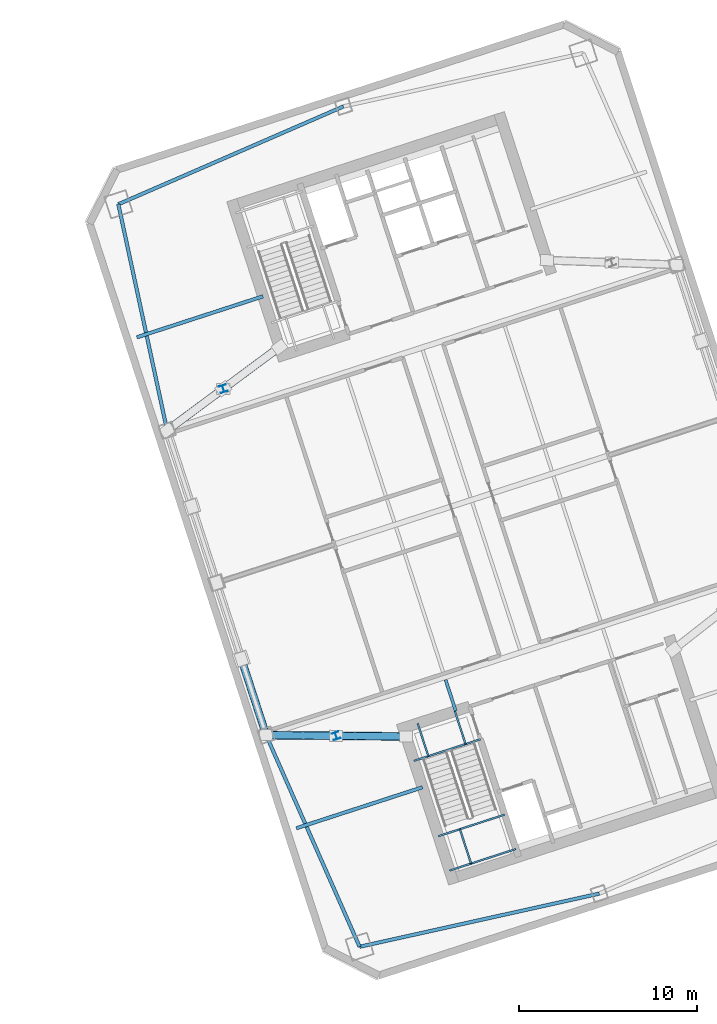
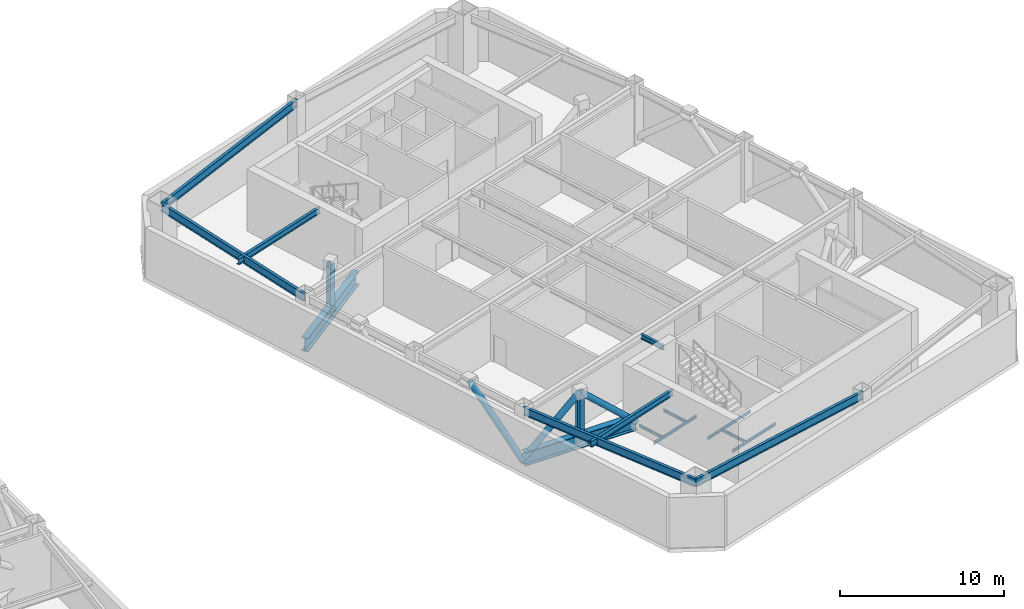
# One storey, part 6 of 17: 15 beams, 5 members.
"""IFC4 building model written with IfcOpenShell, lengths in metres."""

from ifc_helpers import new_model, si_unit, direction, frame, origin, origin_2d, place, context, subcontext, project, spatial, hollow_circle, i_section, extrude, material, material_profile, profile_set, type_object, element, save


model = new_model("IFC4")

# Units and contexts
model_context = context("Model", 3, precision=1e-05, world=origin(), true_north=direction((0.0, 1.0)))
body_context = subcontext(model_context, "Body", "Model", "MODEL_VIEW")
ifc_project = project(units=[si_unit("LENGTHUNIT", "METRE"), si_unit("AREAUNIT", "SQUARE_METRE"), si_unit("VOLUMEUNIT", "CUBIC_METRE"), si_unit("PLANEANGLEUNIT", "RADIAN"), si_unit("MASSUNIT", "GRAM", prefix="KILO")], contexts=[model_context])

# Site, building, storey
site_placement = place(None, origin())
site = spatial("IfcSite", under=ifc_project, at=site_placement, CompositionType="ELEMENT")
building_placement = place(site_placement, origin())
building = spatial("IfcBuilding", under=site, at=building_placement, Name="Qiaolan Cultural Towers", CompositionType="ELEMENT")
storey_placement = place(building_placement, frame((0.0, 0.0, 184.0)))
storey = spatial("IfcBuildingStorey", under=building, at=storey_placement, Name="L49", CompositionType="ELEMENT", Elevation=184.0)

# Beams
ifc_material_1 = material(Name="Steel Q390GJB", Category="steel")
ifc_material_profile_1 = material_profile(ifc_material_1, i_section(OverallWidth=0.449951171875, OverallDepth=1.0, WebThickness=0.02392578125, FlangeThickness=0.0400390625, at=origin_2d()), Name="BH1000x450x24x40")
ifc_profile_set_1 = profile_set([ifc_material_profile_1], Name="Steel Q390GJB")
beam_type_1 = type_object("IfcBeamType", Name="BM-BH1000x450x24x40", PredefinedType="BEAM", material=ifc_profile_set_1)
for number, where, z_axis, x_axis, name in (
    (1, (86.32568359375, 20.71435546875, 0.5), (-0.99995391889, 0.009600005, 0.0), (-0.009600005, -0.99995391889, 0.0), "L49 T2 Outrigger Bottom Chord Girder WS"),
    (2, (79.21826171875, 42.588623046875, 0.5), (-0.803324328545, -0.595541789607, 0.0), (0.595541789607, -0.803324328545, 0.0), "L49 T2 Outrigger Bottom Chord Girder WN"),
):
    element("IfcBeam", number, at=place(storey_placement, frame(where, z_axis=z_axis, x_axis=x_axis)), inside=storey, type_object=beam_type_1, Name=name, PredefinedType="BEAM", context=body_context, shape_type="SweptSolid", body=[
        extrude(i_section(OverallWidth=0.449951171875, OverallDepth=1.0, WebThickness=0.02392578125, FlangeThickness=0.0400390625, at=origin_2d()), origin(), (0.0, 0.0, 1.0), 7.858154296875),
    ])
ifc_material_2 = material(Name="Steel Q355B", Category="steel")
ifc_material_profile_2 = material_profile(ifc_material_2, i_section(OverallWidth=0.175048828125, OverallDepth=0.35009765625, WebThickness=0.007080078125, FlangeThickness=0.010986328125, at=origin_2d()), Name="HN350x175x7x11")
ifc_profile_set_2 = profile_set([ifc_material_profile_2], Name="Steel Q355B")
beam_type_2 = type_object("IfcBeamType", Name="BM-JST-HN350x175x7x11", PredefinedType="JOIST", material=ifc_profile_set_2)
beam_1_placement = place(storey_placement, frame((89.119384765625, 22.147705078125, 4.1650390625), z_axis=(-0.308933885266, 0.951083516067, 0.0), x_axis=(-0.951083516067, -0.308933885266, 0.0)))
element("IfcBeam", 3, at=beam_1_placement, inside=storey, type_object=beam_type_2, Name="L49 T2 Secondary Floor Joist U1-1", PredefinedType="JOIST", context=body_context, shape_type="SweptSolid", body=[
    extrude(i_section(OverallWidth=0.175048828125, OverallDepth=0.35009765625, WebThickness=0.007080078125, FlangeThickness=0.010986328125, at=origin_2d()), origin(), (0.0, 0.0, 1.0), 1.85009765625),
])
ifc_material_3 = material(Name="Steel Q355B", Category="steel")
ifc_material_profile_3 = material_profile(ifc_material_3, i_section(OverallWidth=0.199951171875, OverallDepth=0.449951171875, WebThickness=0.009033203125, FlangeThickness=0.013916015625, at=origin_2d()), Name="HN450x200x9x14")
ifc_profile_set_3 = profile_set([ifc_material_profile_3], Name="Steel Q355B")
beam_type_3 = type_object("IfcBeamType", Name="BM-LNT-HN450x200x9x14", PredefinedType="LINTEL", material=ifc_profile_set_3)
beam_2_placement = place(storey_placement, frame((87.252685546875, 17.861083984375, 4.114990234375), z_axis=(-0.951064407856, -0.308992705592, 0.0), x_axis=(0.308992705592, -0.951064407856, 0.0)))
element("IfcBeam", 4, at=beam_2_placement, inside=storey, type_object=beam_type_3, Name="L49 T2 Core Flank Tie Lintel WS", PredefinedType="LINTEL", context=body_context, shape_type="SweptSolid", body=[
    extrude(i_section(OverallWidth=0.199951171875, OverallDepth=0.449951171875, WebThickness=0.009033203125, FlangeThickness=0.013916015625, at=origin_2d()), origin(), (0.0, 0.0, 1.0), 7.449951171875),
])
beam_3_placement = place(storey_placement, frame((78.291259765625, 45.44189453125, 4.114990234375), z_axis=(-0.951054777171, -0.309022346796, 0.0), x_axis=(0.309022346796, -0.951054777171, 0.0)))
element("IfcBeam", 5, at=beam_3_placement, inside=storey, type_object=beam_type_3, Name="L49 T2 Core Flank Tie Lintel WN", PredefinedType="LINTEL", context=body_context, shape_type="SweptSolid", body=[
    extrude(i_section(OverallWidth=0.199951171875, OverallDepth=0.449951171875, WebThickness=0.009033203125, FlangeThickness=0.013916015625, at=origin_2d()), origin(), (0.0, 0.0, 1.0), 7.4501953125),
])
ifc_material_4 = material(Name="Steel Q355B", Category="steel")
ifc_material_profile_4 = material_profile(ifc_material_4, i_section(OverallWidth=0.199951171875, OverallDepth=0.60009765625, WebThickness=0.010986328125, FlangeThickness=0.01708984375, at=origin_2d()), Name="HN600x200x11x17")
ifc_profile_set_4 = profile_set([ifc_material_profile_4], Name="Steel Q355B")
beam_type_4 = type_object("IfcBeamType", Name="BM-SPD-HN600x200x11x17", PredefinedType="SPANDREL", material=ifc_profile_set_4)
beam_4_placement = place(storey_placement, frame((83.71875, 8.900634765625, 4.0400390625), z_axis=(0.976265293399, 0.216578108094, 0.0), x_axis=(-0.216578108094, 0.976265293399, 0.0)))
element("IfcBeam", 6, at=beam_4_placement, inside=storey, type_object=beam_type_4, Name="L49 T2 Perimeter Spandrel Beam 1", PredefinedType="SPANDREL", context=body_context, shape_type="SweptSolid", body=[
    extrude(i_section(OverallWidth=0.199951171875, OverallDepth=0.60009765625, WebThickness=0.010986328125, FlangeThickness=0.01708984375, at=origin_2d()), origin(), (0.0, 0.0, 1.0), 13.793212890625),
])
beam_5_placement = place(storey_placement, frame((82.8154296875, 56.112060546875, 4.0400390625), z_axis=(-0.917117043091, -0.398618024268, 0.0), x_axis=(0.398618024268, -0.917117043091, 0.0)))
element("IfcBeam", 7, at=beam_5_placement, inside=storey, type_object=beam_type_4, Name="L49 T2 Perimeter Spandrel Beam 8", PredefinedType="SPANDREL", context=body_context, shape_type="SweptSolid", body=[
    extrude(i_section(OverallWidth=0.199951171875, OverallDepth=0.60009765625, WebThickness=0.010986328125, FlangeThickness=0.01708984375, at=origin_2d()), origin(), (0.0, 0.0, 1.0), 13.79345703125),
])
beam_6_placement = place(storey_placement, frame((70.165283203125, 50.61376953125, 4.0400390625), z_axis=(0.210832241173, -0.977522258612, 0.0), x_axis=(0.977522258612, 0.210832241173, 0.0)))
element("IfcBeam", 8, at=beam_6_placement, inside=storey, type_object=beam_type_4, Name="L49 T2 Perimeter Spandrel Beam 9", PredefinedType="SPANDREL", context=body_context, shape_type="SweptSolid", body=[
    extrude(i_section(OverallWidth=0.199951171875, OverallDepth=0.60009765625, WebThickness=0.010986328125, FlangeThickness=0.01708984375, at=origin_2d()), origin(), (0.0, 0.0, 1.0), 12.997314453125),
])
beam_7_placement = place(storey_placement, frame((78.4677734375, 20.789794921875, 4.0400390625), z_axis=(0.404011070002, -0.914754095545, 0.0), x_axis=(0.914754095545, 0.404011070002, 0.0)))
element("IfcBeam", 9, at=beam_7_placement, inside=storey, type_object=beam_type_4, Name="L49 T2 Perimeter Spandrel Beam 12", PredefinedType="SPANDREL", context=body_context, shape_type="SweptSolid", body=[
    extrude(i_section(OverallWidth=0.199951171875, OverallDepth=0.60009765625, WebThickness=0.010986328125, FlangeThickness=0.01708984375, at=origin_2d()), origin(), (0.0, 0.0, 1.0), 12.9970703125),
])
ifc_material_5 = material(Name="Steel Q355B", Category="steel")
ifc_material_profile_5 = material_profile(ifc_material_5, i_section(OverallWidth=0.10009765625, OverallDepth=0.199951171875, WebThickness=0.005615234375, FlangeThickness=0.008056640625, at=origin_2d()), Name="HN200x100x5.5x8")
ifc_profile_set_5 = profile_set([ifc_material_profile_5], Name="Steel Q355B")
beam_type_5 = type_object("IfcBeamType", Name="BM-STTRIM-200", PredefinedType="BEAM", material=ifc_profile_set_5)
beam_8_placement = place(storey_placement, frame((86.770751953125, 19.3447265625, -0.4599609375), z_axis=(0.951047798727, 0.309043823005, 0.0), x_axis=(-0.309043823005, 0.951047798727, 0.0)))
element("IfcBeam", 10, at=beam_8_placement, inside=storey, type_object=beam_type_5, Name="L49 ST-E1 Floor Landing Header Beam", PredefinedType="BEAM", context=body_context, shape_type="SweptSolid", body=[
    extrude(i_section(OverallWidth=0.10009765625, OverallDepth=0.199951171875, WebThickness=0.005615234375, FlangeThickness=0.008056640625, at=origin_2d()), origin(), (0.0, 0.0, 1.0), 3.919921875),
])
for number, where, z_axis, x_axis, name in (
    (11, (86.9794921875, 21.452392578125, -0.4599609375), (0.309083226701, -0.951034993558, 0.0), (0.951034993558, 0.309083226701, 0.0), "L49 ST-E1 Floor Landing Stringer 1"),
    (12, (89.07177734375, 22.13232421875, -0.4599609375), (0.309083226701, -0.951034993558, 0.0), (0.951034993558, 0.309083226701, 0.0), "L49 ST-E1 Floor Landing Stringer 2"),
):
    element("IfcBeam", number, at=place(storey_placement, frame(where, z_axis=z_axis, x_axis=x_axis)), inside=storey, type_object=beam_type_5, Name=name, PredefinedType="BEAM", context=body_context, shape_type="SweptSolid", body=[
        extrude(i_section(OverallWidth=0.10009765625, OverallDepth=0.199951171875, WebThickness=0.005615234375, FlangeThickness=0.008056640625, at=origin_2d()), origin(), (0.0, 0.0, 1.0), 1.93994140625),
    ])
beam_9_placement = place(storey_placement, frame((88.145263671875, 15.11376953125, 2.0), z_axis=(0.951053746643, 0.309025518358, 0.0), x_axis=(-0.309025518358, 0.951053746643, 0.0)))
element("IfcBeam", 13, at=beam_9_placement, inside=storey, type_object=beam_type_5, Name="L49 ST-E1 Stair Landing Support Beam 1-1", PredefinedType="BEAM", context=body_context, shape_type="SweptSolid", body=[
    extrude(i_section(OverallWidth=0.10009765625, OverallDepth=0.199951171875, WebThickness=0.005615234375, FlangeThickness=0.008056640625, at=origin_2d()), origin(), (0.0, 0.0, 1.0), 3.920166015625),
])
beam_10_placement = place(storey_placement, frame((88.773193359375, 13.181884765625, 2.0), z_axis=(0.951047798727, 0.309043823005, 0.0), x_axis=(-0.309043823005, 0.951047798727, 0.0)))
element("IfcBeam", 14, at=beam_10_placement, inside=storey, type_object=beam_type_5, Name="L49 ST-E1 Stair Landing Support Beam 1-2", PredefinedType="BEAM", context=body_context, shape_type="SweptSolid", body=[
    extrude(i_section(OverallWidth=0.10009765625, OverallDepth=0.199951171875, WebThickness=0.005615234375, FlangeThickness=0.008056640625, at=origin_2d()), origin(), (0.0, 0.0, 1.0), 3.919921875),
])
beam_11_placement = place(storey_placement, frame((89.353271484375, 15.50634765625, 2.0), z_axis=(0.309007258476, -0.951059679626, 0.0), x_axis=(0.951059679626, 0.309007258476, 0.0)))
element("IfcBeam", 15, at=beam_11_placement, inside=storey, type_object=beam_type_5, Name="L49 ST-E1 Stair Landing Trimmer 1", PredefinedType="BEAM", context=body_context, shape_type="SweptSolid", body=[
    extrude(i_section(OverallWidth=0.10009765625, OverallDepth=0.199951171875, WebThickness=0.005615234375, FlangeThickness=0.008056640625, at=origin_2d()), origin(), (0.0, 0.0, 1.0), 2.03125),
])

# Members
ifc_material_6 = material(Name="Steel Q355B", Category="steel")
ifc_material_profile_6 = material_profile(ifc_material_6, hollow_circle(Radius=0.212890625, WallThickness=0.02001953125, at=origin_2d()), Name="CHS426x20")
ifc_profile_set_6 = profile_set([ifc_material_profile_6], Name="Steel Q355B")
member_type_1 = type_object("IfcMemberType", Name="MBR-BRC-CHS426x20", PredefinedType="BRACE", material=ifc_profile_set_6)
for number, where, z_axis, x_axis, name in (
    (16, (86.32568359375, 20.71435546875, 0.5), (-0.739143800965, 0.007073146421, 0.673510513723), (-0.009568939872, -0.999954216647, 0.0), "L49 T2 Outrigger Truss Diagonal WS-1"),
    (17, (82.396728515625, 20.751953125, 4.080078125), (-0.739143560062, 0.007119073623, -0.673510294212), (-0.0096310701, -0.999953620169, 0.0), "L49 T2 Outrigger Truss Diagonal WS-2"),
):
    element("IfcMember", number, at=place(storey_placement, frame(where, z_axis=z_axis, x_axis=x_axis)), inside=storey, type_object=member_type_1, Name=name, PredefinedType="BRACE", context=body_context, shape_type="SweptSolid", body=[
        extrude(hollow_circle(Radius=0.212890625, WallThickness=0.02001953125, at=origin_2d()), origin(), (0.0, 0.0, 1.0), 5.3154296875),
    ])
member_placement = place(storey_placement, frame((78.4677734375, 20.789794921875, 0.199951171875), z_axis=(-0.231479598497, 0.712401222199, 0.662496561568), x_axis=(-0.951054001411, -0.309024734286, 0.0)))
element("IfcMember", 18, at=member_placement, inside=storey, type_object=member_type_1, Name="L49 T2 Perimeter Belt Truss W1-A", PredefinedType="BRACE", context=body_context, shape_type="SweptSolid", body=[
    extrude(hollow_circle(Radius=0.212890625, WallThickness=0.02001953125, at=origin_2d()), origin(), (0.0, 0.0, 1.0), 6.007568359375),
])
ifc_material_7 = material(Name="Steel Q355B", Category="steel")
ifc_material_profile_7 = material_profile(ifc_material_7, i_section(OverallWidth=0.39990234375, OverallDepth=0.39990234375, WebThickness=0.012939453125, FlangeThickness=0.02099609375, at=origin_2d()), Name="HW400x400x13x21")
ifc_profile_set_7 = profile_set([ifc_material_profile_7], Name="Steel Q355B")
member_type_2 = type_object("IfcMemberType", Name="MBR-POST-HW400x400x13x21", PredefinedType="STUD", material=ifc_profile_set_7)
for number, where, z_axis, x_axis, name in (
    (19, (82.396728515625, 20.751953125, 0.5), (0.0, 0.0, 1.0), (0.951056516295, 0.309016994375, 0.0), "L49 T2 Outrigger King Web WS"),
    (20, (76.061767578125, 40.248779296875, 0.5), (0.0, 0.0, 1.0), (0.951056516295, 0.309016994375, 0.0), "L49 T2 Outrigger King Web WN"),
):
    element("IfcMember", number, at=place(storey_placement, frame(where, z_axis=z_axis, x_axis=x_axis)), inside=storey, type_object=member_type_2, Name=name, PredefinedType="STUD", context=body_context, shape_type="SweptSolid", body=[
        extrude(i_section(OverallWidth=0.39990234375, OverallDepth=0.39990234375, WebThickness=0.012939453125, FlangeThickness=0.02099609375, at=origin_2d()), origin(), (0.0, 0.0, 1.0), 3.580078125),
    ])

save(model, "model.ifc")
